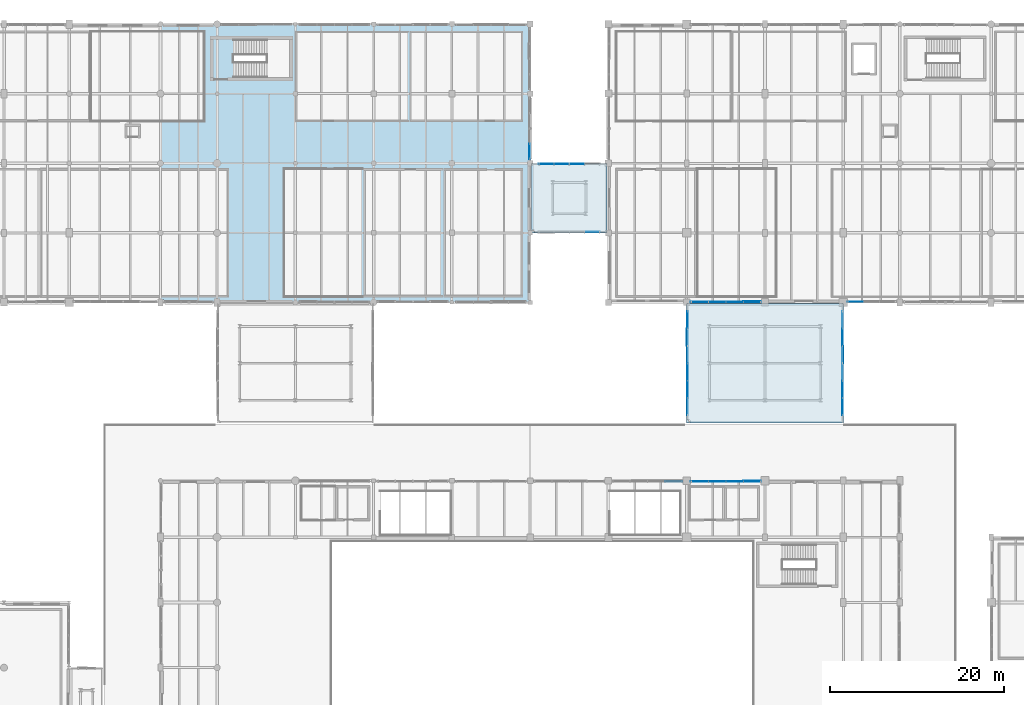
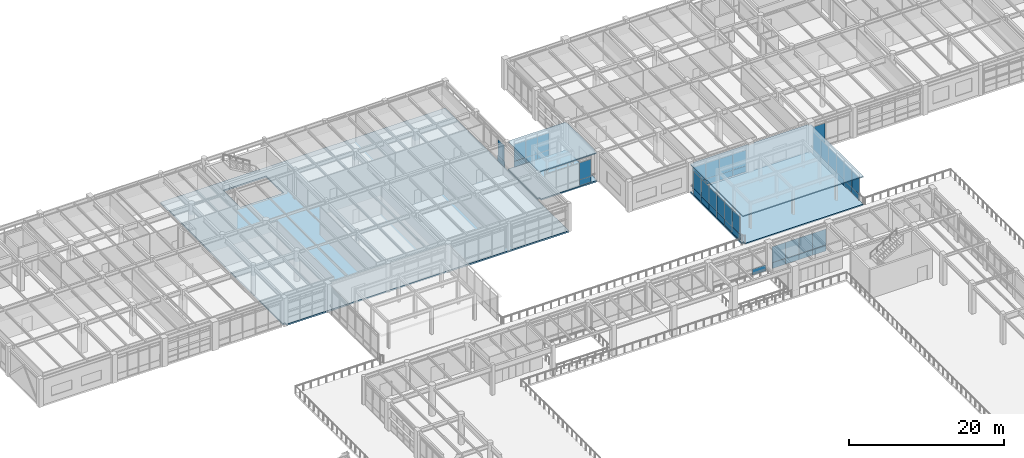
# One storey, part 161 of 200: 53 plates, 5 slabs, 9 elements without a shape of their own.
"""IFC4 building model written with IfcOpenShell, lengths in metres."""

from ifc_helpers import new_model, si_unit, direction, frame, origin, origin_2d, place, context, subcontext, project, spatial, polyline, rectangle, outline, extrude, material, layer, layer_set, type_object, element, aggregate, save


model = new_model("IFC4")

# Units and contexts
model_context = context("Model", 3, precision=1e-05, world=origin(), true_north=direction((0.0, 1.0)))
body_context = subcontext(model_context, "Body", "Model", "MODEL_VIEW")
ifc_project = project(units=[si_unit("LENGTHUNIT", "METRE"), si_unit("AREAUNIT", "SQUARE_METRE"), si_unit("VOLUMEUNIT", "CUBIC_METRE"), si_unit("PLANEANGLEUNIT", "RADIAN"), si_unit("MASSUNIT", "GRAM", prefix="KILO"), si_unit("THERMODYNAMICTEMPERATUREUNIT", "KELVIN"), si_unit("POWERUNIT", "WATT")], contexts=[model_context])

# Site, building, storey
site_placement = place(None, origin())
site = spatial("IfcSite", under=ifc_project, at=site_placement, CompositionType="ELEMENT")
building_placement = place(site_placement, origin())
building = spatial("IfcBuilding", under=site, at=building_placement, Name="Tepalcoro Natatorium and Aquatics Centre", CompositionType="ELEMENT")
storey_placement = place(building_placement, frame((0.0, 0.0, 5.39990234375)))
storey = spatial("IfcBuildingStorey", under=building, at=storey_placement, Name="L01", CompositionType="ELEMENT", Elevation=5.39990234375)

# Curtain wall, plate
ifc_material_1 = material(Name="Bronze-Anodised Extruded Aluminium Alloy EN AW-6063 T6", Category="aluminium")
curtain_wall_type_1 = type_object("IfcCurtainWallType", Name="CW_V4_VILLAGE", PredefinedType="USERDEFINED", material=ifc_material_1)
curtain_wall_1_placement = place(storey_placement, origin())
curtain_wall_1 = element("IfcCurtainWall", 1, at=curtain_wall_1_placement, inside=storey, type_object=curtain_wall_type_1, Name="V1 L01 N Unitised Curtain Wall Bay 8", ObjectType="UNITISED STOREFRONT", PredefinedType="USERDEFINED")
ifc_material_2 = material(Name="Solar-Control Bronze Tempered Low-E Double Glazing", Category="glass")
ifc_layer_1 = layer(ifc_material_2, 0.048095703125)
ifc_layer_set_1 = layer_set([ifc_layer_1], Name="Solar-Control Bronze Tempered Low-E Double Glazing")
plate_type_1 = type_object("IfcPlateType", Name="PL_ACOUSTIC_IGU_48", PredefinedType="CURTAIN_PANEL", material=ifc_layer_set_1)
plate_1_placement = place(storey_placement, frame((112.5048828125, 65.423828125, 0.9599609375), z_axis=(0.0, 0.0, 1.0), x_axis=(1.0, 0.0, 0.0)))
plate_1 = element("IfcPlate", 2, at=plate_1_placement, type_object=plate_type_1, Name="CW_V4_VILLAGE Insulated Glazing Unit", PredefinedType="CURTAIN_PANEL", context=body_context, shape_type="SweptSolid", body=[
    extrude(rectangle(XDim=1.989990234375, YDim=0.048095703125, at=origin_2d()), origin(), (0.0, 0.0, 1.0), 2.51708984375),
])

curtain_wall_type_2 = type_object("IfcCurtainWallType", Name="CW_V3_FOYER", PredefinedType="USERDEFINED", material=ifc_material_1)
curtain_wall_2_placement = place(storey_placement, origin())
curtain_wall_2 = element("IfcCurtainWall", 3, at=curtain_wall_2_placement, inside=storey, type_object=curtain_wall_type_2, Name="V5 L01 S Unitised Curtain Wall Bay 2", ObjectType="UNITISED STOREFRONT", PredefinedType="USERDEFINED")
plate_2_placement = place(storey_placement, frame((112.5048828125, 86.0712890625, 0.9599609375), z_axis=(0.0, 0.0, 1.0), x_axis=(1.0, 0.0, 0.0)))
plate_2 = element("IfcPlate", 4, at=plate_2_placement, type_object=plate_type_1, Name="CW_V3_FOYER Insulated Glazing Unit", PredefinedType="CURTAIN_PANEL", context=body_context, shape_type="SweptSolid", body=[
    extrude(rectangle(XDim=1.989990234375, YDim=0.048095703125, at=origin_2d()), origin(), (0.0, 0.0, 1.0), 2.47412109375),
])

# Curtain wall, plates
curtain_wall_type_3 = type_object("IfcCurtainWallType", Name="CW_LINK_150", PredefinedType="USERDEFINED", material=ifc_material_1)
curtain_wall_3_placement = place(storey_placement, origin())
curtain_wall_3 = element("IfcCurtainWall", 5, at=curtain_wall_3_placement, inside=storey, type_object=curtain_wall_type_3, Name="East Court Wellness Arcade Glazed Wall W L01", ObjectType="UNITISED STOREFRONT", PredefinedType="USERDEFINED")
plate_3_placement = place(storey_placement, frame((107.080078125, 78.0, 0.9599609375), z_axis=(0.0, 0.0, 1.0), x_axis=(1.0, 0.0, 0.0)))
plate_3 = element("IfcPlate", 6, at=plate_3_placement, type_object=plate_type_1, Name="CW_LINK_150 Insulated Glazing Unit", PredefinedType="CURTAIN_PANEL", context=body_context, shape_type="SweptSolid", body=[
    extrude(rectangle(XDim=0.048095703125, YDim=1.97998046875, at=origin_2d()), origin(), (0.0, 0.0, 1.0), 2.679931640625),
])
plate_4_placement = place(storey_placement, frame((107.080078125, 84.0, 0.9599609375), z_axis=(0.0, 0.0, 1.0), x_axis=(1.0, 0.0, 0.0)))
plate_4 = element("IfcPlate", 7, at=plate_4_placement, type_object=plate_type_1, Name="CW_LINK_150 Insulated Glazing Unit", PredefinedType="CURTAIN_PANEL", context=body_context, shape_type="SweptSolid", body=[
    extrude(rectangle(XDim=0.048095703125, YDim=1.97998046875, at=origin_2d()), origin(), (0.0, 0.0, 1.0), 2.679931640625),
])

curtain_wall_4_placement = place(storey_placement, origin())
curtain_wall_4 = element("IfcCurtainWall", 8, at=curtain_wall_4_placement, inside=storey, type_object=curtain_wall_type_3, Name="East Court Wellness Arcade Glazed Wall E L01", ObjectType="UNITISED STOREFRONT", PredefinedType="USERDEFINED")
plate_5_placement = place(storey_placement, frame((124.919921875, 76.0, 0.9599609375), z_axis=(0.0, 0.0, 1.0), x_axis=(1.0, 0.0, 0.0)))
plate_5 = element("IfcPlate", 9, at=plate_5_placement, type_object=plate_type_1, Name="CW_LINK_150 Insulated Glazing Unit", PredefinedType="CURTAIN_PANEL", context=body_context, shape_type="SweptSolid", body=[
    extrude(rectangle(XDim=0.048095703125, YDim=1.97998046875, at=origin_2d()), origin(), (0.0, 0.0, 1.0), 2.679931640625),
])
plate_6_placement = place(storey_placement, frame((124.919921875, 82.0, 0.9599609375), z_axis=(0.0, 0.0, 1.0), x_axis=(1.0, 0.0, 0.0)))
plate_6 = element("IfcPlate", 10, at=plate_6_placement, type_object=plate_type_1, Name="CW_LINK_150 Insulated Glazing Unit", PredefinedType="CURTAIN_PANEL", context=body_context, shape_type="SweptSolid", body=[
    extrude(rectangle(XDim=0.048095703125, YDim=1.97998046875, at=origin_2d()), origin(), (0.0, 0.0, 1.0), 2.679931640625),
])

# Curtain wall, plate
curtain_wall_5_placement = place(storey_placement, origin())
curtain_wall_5 = element("IfcCurtainWall", 11, at=curtain_wall_5_placement, inside=storey, type_object=curtain_wall_type_3, Name="North Spine Seismic Link Glazed Wall N L01", ObjectType="UNITISED STOREFRONT", PredefinedType="USERDEFINED")
plate_7_placement = place(storey_placement, frame((90.875, 101.919921875, 0.9599609375), z_axis=(0.0, 0.0, 1.0), x_axis=(1.0, 0.0, 0.0)))
plate_7 = element("IfcPlate", 12, at=plate_7_placement, type_object=plate_type_1, Name="CW_LINK_150 Insulated Glazing Unit", PredefinedType="CURTAIN_PANEL", context=body_context, shape_type="SweptSolid", body=[
    extrude(rectangle(XDim=1.72998046875, YDim=0.048095703125, at=origin_2d()), origin(), (0.0, 0.0, 1.0), 2.679931640625),
])

# Plate
ifc_layer_2 = layer(ifc_material_2, 0.028076171875)
ifc_layer_set_2 = layer_set([ifc_layer_2], Name="Solar-Control Bronze Tempered Low-E Double Glazing")
plate_type_2 = type_object("IfcPlateType", Name="PL_BRONZE_IGU_28", PredefinedType="CURTAIN_PANEL", material=ifc_layer_set_2)
plate_8_placement = place(storey_placement, frame((110.4951171875, 65.423828125, 0.9599609375), z_axis=(0.0, 0.0, 1.0), x_axis=(1.0, 0.0, 0.0)))
plate_8 = element("IfcPlate", 13, at=plate_8_placement, type_object=plate_type_2, Name="CW_V4_VILLAGE Insulated Glazing Unit", PredefinedType="CURTAIN_PANEL", context=body_context, shape_type="SweptSolid", body=[
    extrude(rectangle(XDim=1.989990234375, YDim=0.028076171875, at=origin_2d()), origin(), (0.0, 0.0, 1.0), 2.51708984375),
])

# Curtain wall, plate
curtain_wall_type_4 = type_object("IfcCurtainWallType", Name="CW_LEAN_T2_EW", PredefinedType="USERDEFINED", material=ifc_material_1)
curtain_wall_6_placement = place(storey_placement, origin())
curtain_wall_6 = element("IfcCurtainWall", 14, at=curtain_wall_6_placement, inside=storey, type_object=curtain_wall_type_4, Name="V4 L01 E Unitised Curtain Wall Bay 3", ObjectType="FACETED SOLAR GLAZING", PredefinedType="USERDEFINED")
plate_9_placement = place(storey_placement, frame((88.9287109375, 103.360107421875, 0.9599609375), z_axis=(0.0, 0.0, 1.0), x_axis=(1.0, 0.0, 0.0)))
plate_9 = element("IfcPlate", 15, at=plate_9_placement, type_object=plate_type_2, Name="CW_LEAN_T2_EW Insulated Glazing Unit", PredefinedType="CURTAIN_PANEL", context=body_context, shape_type="SweptSolid", body=[
    extrude(rectangle(XDim=0.028076171875, YDim=1.739990234375, at=origin_2d()), origin(), (0.0, 0.0, 1.0), 2.489990234375),
])

# Plate
plate_10_placement = place(storey_placement, frame((110.4951171875, 86.0712890625, 0.9599609375), z_axis=(0.0, 0.0, 1.0), x_axis=(1.0, 0.0, 0.0)))
plate_10 = element("IfcPlate", 16, at=plate_10_placement, type_object=plate_type_2, Name="CW_V3_FOYER Insulated Glazing Unit", PredefinedType="CURTAIN_PANEL", context=body_context, shape_type="SweptSolid", body=[
    extrude(rectangle(XDim=1.989990234375, YDim=0.028076171875, at=origin_2d()), origin(), (0.0, 0.0, 1.0), 2.47412109375),
])

# Curtain wall, plate
curtain_wall_type_5 = type_object("IfcCurtainWallType", Name="CW_V5_LOWER", PredefinedType="USERDEFINED", material=ifc_material_1)
curtain_wall_7_placement = place(storey_placement, origin())
curtain_wall_7 = element("IfcCurtainWall", 17, at=curtain_wall_7_placement, inside=storey, type_object=curtain_wall_type_5, Name="V5 L01 S Unitised Curtain Wall Bay 4", ObjectType="UNITISED STOREFRONT", PredefinedType="USERDEFINED")
plate_11_placement = place(storey_placement, frame((126.4033203125, 86.080078125, 0.9599609375), z_axis=(0.0, 0.0, 1.0), x_axis=(1.0, 0.0, 0.0)))
plate_11 = element("IfcPlate", 18, at=plate_11_placement, type_object=plate_type_2, Name="CW_V5_LOWER Insulated Glazing Unit", PredefinedType="CURTAIN_PANEL", context=body_context, shape_type="SweptSolid", body=[
    extrude(rectangle(XDim=1.82666015625, YDim=0.028076171875, at=origin_2d()), origin(), (0.0, 0.0, 1.0), 2.596923828125),
])

# Plate
plate_12_placement = place(storey_placement, frame((107.080078125, 76.0, 0.9599609375), z_axis=(0.0, 0.0, 1.0), x_axis=(1.0, 0.0, 0.0)))
plate_12 = element("IfcPlate", 19, at=plate_12_placement, type_object=plate_type_2, Name="CW_LINK_150 Insulated Glazing Unit", PredefinedType="CURTAIN_PANEL", context=body_context, shape_type="SweptSolid", body=[
    extrude(rectangle(XDim=0.028076171875, YDim=1.97998046875, at=origin_2d()), origin(), (0.0, 0.0, 1.0), 2.679931640625),
])

plate_13_placement = place(storey_placement, frame((107.080078125, 82.0, 0.9599609375), z_axis=(0.0, 0.0, 1.0), x_axis=(1.0, 0.0, 0.0)))
plate_13 = element("IfcPlate", 20, at=plate_13_placement, type_object=plate_type_2, Name="CW_LINK_150 Insulated Glazing Unit", PredefinedType="CURTAIN_PANEL", context=body_context, shape_type="SweptSolid", body=[
    extrude(rectangle(XDim=0.028076171875, YDim=1.97998046875, at=origin_2d()), origin(), (0.0, 0.0, 1.0), 2.679931640625),
])

plate_14_placement = place(storey_placement, frame((124.919921875, 74.0, 0.9599609375), z_axis=(0.0, 0.0, 1.0), x_axis=(1.0, 0.0, 0.0)))
plate_14 = element("IfcPlate", 21, at=plate_14_placement, type_object=plate_type_2, Name="CW_LINK_150 Insulated Glazing Unit", PredefinedType="CURTAIN_PANEL", context=body_context, shape_type="SweptSolid", body=[
    extrude(rectangle(XDim=0.028076171875, YDim=1.97998046875, at=origin_2d()), origin(), (0.0, 0.0, 1.0), 2.679931640625),
])

plate_15_placement = place(storey_placement, frame((124.919921875, 80.0, 0.9599609375), z_axis=(0.0, 0.0, 1.0), x_axis=(1.0, 0.0, 0.0)))
plate_15 = element("IfcPlate", 22, at=plate_15_placement, type_object=plate_type_2, Name="CW_LINK_150 Insulated Glazing Unit", PredefinedType="CURTAIN_PANEL", context=body_context, shape_type="SweptSolid", body=[
    extrude(rectangle(XDim=0.028076171875, YDim=1.97998046875, at=origin_2d()), origin(), (0.0, 0.0, 1.0), 2.679931640625),
])

# Curtain wall, plate
curtain_wall_8_placement = place(storey_placement, origin())
curtain_wall_8 = element("IfcCurtainWall", 23, at=curtain_wall_8_placement, inside=storey, type_object=curtain_wall_type_3, Name="North Spine Seismic Link Glazed Wall S L01", ObjectType="UNITISED STOREFRONT", PredefinedType="USERDEFINED")
plate_16_placement = place(storey_placement, frame((96.125, 94.080078125, 0.9599609375), z_axis=(0.0, 0.0, 1.0), x_axis=(1.0, 0.0, 0.0)))
plate_16 = element("IfcPlate", 24, at=plate_16_placement, type_object=plate_type_2, Name="CW_LINK_150 Insulated Glazing Unit", PredefinedType="CURTAIN_PANEL", context=body_context, shape_type="SweptSolid", body=[
    extrude(rectangle(XDim=1.72998046875, YDim=0.028076171875, at=origin_2d()), origin(), (0.0, 0.0, 1.0), 2.679931640625),
])

# Plate
plate_17_placement = place(storey_placement, frame((94.375, 101.919921875, 0.9599609375), z_axis=(0.0, 0.0, 1.0), x_axis=(1.0, 0.0, 0.0)))
plate_17 = element("IfcPlate", 25, at=plate_17_placement, type_object=plate_type_2, Name="CW_LINK_150 Insulated Glazing Unit", PredefinedType="CURTAIN_PANEL", context=body_context, shape_type="SweptSolid", body=[
    extrude(rectangle(XDim=1.72998046875, YDim=0.028076171875, at=origin_2d()), origin(), (0.0, 0.0, 1.0), 2.679931640625),
])

ifc_material_3 = material(Name="Jalisco Cantera Rosa Volcanic Tuff Ashlar Masonry", Category="masonry")
ifc_layer_3 = layer(ifc_material_3, 0.090087890625)
ifc_layer_set_3 = layer_set([ifc_layer_3], Name="Jalisco Cantera Rosa Volcanic Tuff Ashlar Masonry")
plate_type_3 = type_object("IfcPlateType", Name="PL_CANTERA_90", PredefinedType="SHEET", material=ifc_layer_set_3)
plate_18_placement = place(storey_placement, frame((114.514892578125, 65.423828125, 0.044921875), z_axis=(0.0, 0.0, 1.0), x_axis=(1.0, 0.0, 0.0)))
plate_18 = element("IfcPlate", 26, at=plate_18_placement, type_object=plate_type_3, Name="CW_V4_VILLAGE Spandrel & Screen Panel", PredefinedType="SHEET", context=body_context, shape_type="SweptSolid", body=[
    extrude(rectangle(XDim=1.989990234375, YDim=0.090087890625, at=origin_2d()), origin(), (0.0, 0.0, 1.0), 0.909912109375),
])

plate_19_placement = place(storey_placement, frame((114.514892578125, 86.0712890625, 0.044921875), z_axis=(0.0, 0.0, 1.0), x_axis=(1.0, 0.0, 0.0)))
plate_19 = element("IfcPlate", 27, at=plate_19_placement, type_object=plate_type_3, Name="CW_V3_FOYER Spandrel & Screen Panel", PredefinedType="SHEET", context=body_context, shape_type="SweptSolid", body=[
    extrude(rectangle(XDim=1.989990234375, YDim=0.090087890625, at=origin_2d()), origin(), (0.0, 0.0, 1.0), 0.909912109375),
])

plate_20_placement = place(storey_placement, frame((107.080078125, 80.0, 0.044921875), z_axis=(0.0, 0.0, 1.0), x_axis=(1.0, 0.0, 0.0)))
plate_20 = element("IfcPlate", 28, at=plate_20_placement, type_object=plate_type_3, Name="CW_LINK_150 Spandrel & Screen Panel", PredefinedType="SHEET", context=body_context, shape_type="SweptSolid", body=[
    extrude(rectangle(XDim=0.090087890625, YDim=1.97998046875, at=origin_2d()), origin(), (0.0, 0.0, 1.0), 0.909912109375),
])

plate_21_placement = place(storey_placement, frame((124.919921875, 78.0, 0.044921875), z_axis=(0.0, 0.0, 1.0), x_axis=(1.0, 0.0, 0.0)))
plate_21 = element("IfcPlate", 29, at=plate_21_placement, type_object=plate_type_3, Name="CW_LINK_150 Spandrel & Screen Panel", PredefinedType="SHEET", context=body_context, shape_type="SweptSolid", body=[
    extrude(rectangle(XDim=0.090087890625, YDim=1.97998046875, at=origin_2d()), origin(), (0.0, 0.0, 1.0), 0.909912109375),
])

ifc_material_4 = material(Name="Clear Tempered Low-E Safety Glazing", Category="glass")
ifc_layer_4 = layer(ifc_material_4, 0.011962890625)
ifc_layer_set_4 = layer_set([ifc_layer_4], Name="Clear Tempered Low-E Safety Glazing")
plate_type_4 = type_object("IfcPlateType", Name="PL_GLASS_12", PredefinedType="CURTAIN_PANEL", material=ifc_layer_set_4)
plate_22_placement = place(storey_placement, frame((108.485107421875, 65.423828125, 0.9599609375), z_axis=(0.0, 0.0, 1.0), x_axis=(1.0, 0.0, 0.0)))
plate_22 = element("IfcPlate", 30, at=plate_22_placement, type_object=plate_type_4, Name="CW_V4_VILLAGE Insulated Glazing Unit", PredefinedType="CURTAIN_PANEL", context=body_context, shape_type="SweptSolid", body=[
    extrude(rectangle(XDim=1.989990234375, YDim=0.011962890625, at=origin_2d()), origin(), (0.0, 0.0, 1.0), 2.51708984375),
])

plate_23_placement = place(storey_placement, frame((114.514892578125, 65.423828125, 0.9599609375), z_axis=(0.0, 0.0, 1.0), x_axis=(1.0, 0.0, 0.0)))
plate_23 = element("IfcPlate", 31, at=plate_23_placement, type_object=plate_type_4, Name="CW_V4_VILLAGE Insulated Glazing Unit", PredefinedType="CURTAIN_PANEL", context=body_context, shape_type="SweptSolid", body=[
    extrude(rectangle(XDim=1.989990234375, YDim=0.011962890625, at=origin_2d()), origin(), (0.0, 0.0, 1.0), 2.51708984375),
])

plate_24_placement = place(storey_placement, frame((108.485107421875, 86.0712890625, 0.9599609375), z_axis=(0.0, 0.0, 1.0), x_axis=(1.0, 0.0, 0.0)))
plate_24 = element("IfcPlate", 32, at=plate_24_placement, type_object=plate_type_4, Name="CW_V3_FOYER Insulated Glazing Unit", PredefinedType="CURTAIN_PANEL", context=body_context, shape_type="SweptSolid", body=[
    extrude(rectangle(XDim=1.989990234375, YDim=0.011962890625, at=origin_2d()), origin(), (0.0, 0.0, 1.0), 2.47412109375),
])

plate_25_placement = place(storey_placement, frame((114.514892578125, 86.0712890625, 0.9599609375), z_axis=(0.0, 0.0, 1.0), x_axis=(1.0, 0.0, 0.0)))
plate_25 = element("IfcPlate", 33, at=plate_25_placement, type_object=plate_type_4, Name="CW_V3_FOYER Insulated Glazing Unit", PredefinedType="CURTAIN_PANEL", context=body_context, shape_type="SweptSolid", body=[
    extrude(rectangle(XDim=1.989990234375, YDim=0.011962890625, at=origin_2d()), origin(), (0.0, 0.0, 1.0), 2.47412109375),
])

plate_26_placement = place(storey_placement, frame((107.080078125, 74.0, 0.9599609375), z_axis=(0.0, 0.0, 1.0), x_axis=(1.0, 0.0, 0.0)))
plate_26 = element("IfcPlate", 34, at=plate_26_placement, type_object=plate_type_4, Name="CW_LINK_150 Insulated Glazing Unit", PredefinedType="CURTAIN_PANEL", context=body_context, shape_type="SweptSolid", body=[
    extrude(rectangle(XDim=0.011962890625, YDim=1.97998046875, at=origin_2d()), origin(), (0.0, 0.0, 1.0), 2.679931640625),
])

plate_27_placement = place(storey_placement, frame((107.080078125, 80.0, 0.9599609375), z_axis=(0.0, 0.0, 1.0), x_axis=(1.0, 0.0, 0.0)))
plate_27 = element("IfcPlate", 35, at=plate_27_placement, type_object=plate_type_4, Name="CW_LINK_150 Insulated Glazing Unit", PredefinedType="CURTAIN_PANEL", context=body_context, shape_type="SweptSolid", body=[
    extrude(rectangle(XDim=0.011962890625, YDim=1.97998046875, at=origin_2d()), origin(), (0.0, 0.0, 1.0), 2.679931640625),
])

plate_28_placement = place(storey_placement, frame((124.919921875, 78.0, 0.9599609375), z_axis=(0.0, 0.0, 1.0), x_axis=(1.0, 0.0, 0.0)))
plate_28 = element("IfcPlate", 36, at=plate_28_placement, type_object=plate_type_4, Name="CW_LINK_150 Insulated Glazing Unit", PredefinedType="CURTAIN_PANEL", context=body_context, shape_type="SweptSolid", body=[
    extrude(rectangle(XDim=0.011962890625, YDim=1.97998046875, at=origin_2d()), origin(), (0.0, 0.0, 1.0), 2.679931640625),
])

plate_29_placement = place(storey_placement, frame((124.919921875, 84.0, 0.9599609375), z_axis=(0.0, 0.0, 1.0), x_axis=(1.0, 0.0, 0.0)))
plate_29 = element("IfcPlate", 37, at=plate_29_placement, type_object=plate_type_4, Name="CW_LINK_150 Insulated Glazing Unit", PredefinedType="CURTAIN_PANEL", context=body_context, shape_type="SweptSolid", body=[
    extrude(rectangle(XDim=0.011962890625, YDim=1.97998046875, at=origin_2d()), origin(), (0.0, 0.0, 1.0), 2.679931640625),
])

plate_30_placement = place(storey_placement, frame((92.625, 101.919921875, 0.9599609375), z_axis=(0.0, 0.0, 1.0), x_axis=(1.0, 0.0, 0.0)))
plate_30 = element("IfcPlate", 38, at=plate_30_placement, type_object=plate_type_4, Name="CW_LINK_150 Insulated Glazing Unit", PredefinedType="CURTAIN_PANEL", context=body_context, shape_type="SweptSolid", body=[
    extrude(rectangle(XDim=1.72998046875, YDim=0.011962890625, at=origin_2d()), origin(), (0.0, 0.0, 1.0), 2.679931640625),
])

ifc_material_5 = material(Name="Volcanic Recinto Basalt Ashlar Masonry", Category="masonry")
ifc_layer_5 = layer(ifc_material_5, 0.110107421875)
ifc_layer_set_5 = layer_set([ifc_layer_5], Name="Volcanic Recinto Basalt Ashlar Masonry")
plate_type_5 = type_object("IfcPlateType", Name="PL_RECINTO_110", PredefinedType="SHEET", material=ifc_layer_set_5)
plate_31_placement = place(storey_placement, frame((107.080078125, 82.0, 0.044921875), z_axis=(0.0, 0.0, 1.0), x_axis=(1.0, 0.0, 0.0)))
plate_31 = element("IfcPlate", 39, at=plate_31_placement, type_object=plate_type_5, Name="CW_LINK_150 Spandrel & Screen Panel", PredefinedType="SHEET", context=body_context, shape_type="SweptSolid", body=[
    extrude(rectangle(XDim=0.110107421875, YDim=1.97998046875, at=origin_2d()), origin(), (0.0, 0.0, 1.0), 0.909912109375),
])

plate_32_placement = place(storey_placement, frame((124.919921875, 80.0, 0.044921875), z_axis=(0.0, 0.0, 1.0), x_axis=(1.0, 0.0, 0.0)))
plate_32 = element("IfcPlate", 40, at=plate_32_placement, type_object=plate_type_5, Name="CW_LINK_150 Spandrel & Screen Panel", PredefinedType="SHEET", context=body_context, shape_type="SweptSolid", body=[
    extrude(rectangle(XDim=0.110107421875, YDim=1.97998046875, at=origin_2d()), origin(), (0.0, 0.0, 1.0), 0.909912109375),
])

ifc_layer_6 = layer(ifc_material_1, 0.050048828125)
ifc_layer_set_6 = layer_set([ifc_layer_6], Name="Bronze-Anodised Extruded Aluminium Alloy EN AW-6063 T6")
plate_type_6 = type_object("IfcPlateType", Name="PL_SCREEN_50", PredefinedType="SHEET", material=ifc_layer_set_6)
plate_33_placement = place(storey_placement, frame((110.4951171875, 65.423828125, 0.044921875), z_axis=(0.0, 0.0, 1.0), x_axis=(1.0, 0.0, 0.0)))
plate_33 = element("IfcPlate", 41, at=plate_33_placement, type_object=plate_type_6, Name="CW_V4_VILLAGE Spandrel & Screen Panel", PredefinedType="SHEET", context=body_context, shape_type="SweptSolid", body=[
    extrude(rectangle(XDim=1.989990234375, YDim=0.050048828125, at=origin_2d()), origin(), (0.0, 0.0, 1.0), 0.909912109375),
])

plate_34_placement = place(storey_placement, frame((88.9287109375, 103.360107421875, 0.044921875), z_axis=(0.0, 0.0, 1.0), x_axis=(1.0, 0.0, 0.0)))
plate_34 = element("IfcPlate", 42, at=plate_34_placement, type_object=plate_type_6, Name="CW_LEAN_T2_EW Spandrel & Screen Panel", PredefinedType="SHEET", context=body_context, shape_type="SweptSolid", body=[
    extrude(rectangle(XDim=0.050048828125, YDim=1.739990234375, at=origin_2d()), origin(), (0.0, 0.0, 1.0), 0.909912109375),
])

aggregate(curtain_wall_6, [plate_9, plate_34])

plate_35_placement = place(storey_placement, frame((110.4951171875, 86.0712890625, 0.044921875), z_axis=(0.0, 0.0, 1.0), x_axis=(1.0, 0.0, 0.0)))
plate_35 = element("IfcPlate", 43, at=plate_35_placement, type_object=plate_type_6, Name="CW_V3_FOYER Spandrel & Screen Panel", PredefinedType="SHEET", context=body_context, shape_type="SweptSolid", body=[
    extrude(rectangle(XDim=1.989990234375, YDim=0.050048828125, at=origin_2d()), origin(), (0.0, 0.0, 1.0), 0.909912109375),
])

plate_36_placement = place(storey_placement, frame((126.4033203125, 86.080078125, 0.044921875), z_axis=(0.0, 0.0, 1.0), x_axis=(1.0, 0.0, 0.0)))
plate_36 = element("IfcPlate", 44, at=plate_36_placement, type_object=plate_type_6, Name="CW_V5_LOWER Spandrel & Screen Panel", PredefinedType="SHEET", context=body_context, shape_type="SweptSolid", body=[
    extrude(rectangle(XDim=1.82666015625, YDim=0.050048828125, at=origin_2d()), origin(), (0.0, 0.0, 1.0), 0.909912109375),
])

aggregate(curtain_wall_7, [plate_11, plate_36])

plate_37_placement = place(storey_placement, frame((107.080078125, 76.0, 0.044921875), z_axis=(0.0, 0.0, 1.0), x_axis=(1.0, 0.0, 0.0)))
plate_37 = element("IfcPlate", 45, at=plate_37_placement, type_object=plate_type_6, Name="CW_LINK_150 Spandrel & Screen Panel", PredefinedType="SHEET", context=body_context, shape_type="SweptSolid", body=[
    extrude(rectangle(XDim=0.050048828125, YDim=1.97998046875, at=origin_2d()), origin(), (0.0, 0.0, 1.0), 0.909912109375),
])

plate_38_placement = place(storey_placement, frame((124.919921875, 74.0, 0.044921875), z_axis=(0.0, 0.0, 1.0), x_axis=(1.0, 0.0, 0.0)))
plate_38 = element("IfcPlate", 46, at=plate_38_placement, type_object=plate_type_6, Name="CW_LINK_150 Spandrel & Screen Panel", PredefinedType="SHEET", context=body_context, shape_type="SweptSolid", body=[
    extrude(rectangle(XDim=0.050048828125, YDim=1.97998046875, at=origin_2d()), origin(), (0.0, 0.0, 1.0), 0.909912109375),
])

plate_39_placement = place(storey_placement, frame((124.919921875, 84.0, 0.044921875), z_axis=(0.0, 0.0, 1.0), x_axis=(1.0, 0.0, 0.0)))
plate_39 = element("IfcPlate", 47, at=plate_39_placement, type_object=plate_type_6, Name="CW_LINK_150 Spandrel & Screen Panel", PredefinedType="SHEET", context=body_context, shape_type="SweptSolid", body=[
    extrude(rectangle(XDim=0.050048828125, YDim=1.97998046875, at=origin_2d()), origin(), (0.0, 0.0, 1.0), 0.909912109375),
])

plate_40_placement = place(storey_placement, frame((92.625, 101.919921875, 0.044921875), z_axis=(0.0, 0.0, 1.0), x_axis=(1.0, 0.0, 0.0)))
plate_40 = element("IfcPlate", 48, at=plate_40_placement, type_object=plate_type_6, Name="CW_LINK_150 Spandrel & Screen Panel", PredefinedType="SHEET", context=body_context, shape_type="SweptSolid", body=[
    extrude(rectangle(XDim=1.72998046875, YDim=0.050048828125, at=origin_2d()), origin(), (0.0, 0.0, 1.0), 0.909912109375),
])

# Curtain wall, plate
curtain_wall_9_placement = place(storey_placement, origin())
curtain_wall_9 = element("IfcCurtainWall", 49, at=curtain_wall_9_placement, inside=storey, type_object=curtain_wall_type_2, Name="V1 L01 N Unitised Curtain Wall Bay 7", ObjectType="UNITISED STOREFRONT", PredefinedType="USERDEFINED")
ifc_layer_7 = layer(ifc_material_1, 0.06005859375)
ifc_layer_set_7 = layer_set([ifc_layer_7], Name="Bronze-Anodised Extruded Aluminium Alloy EN AW-6063 T6")
plate_type_7 = type_object("IfcPlateType", Name="PL_SCREEN_60", PredefinedType="SHEET", material=ifc_layer_set_7)
plate_41_placement = place(storey_placement, frame((105.514892578125, 65.419921875, 0.044921875), z_axis=(0.0, 0.0, 1.0), x_axis=(1.0, 0.0, 0.0)))
plate_41 = element("IfcPlate", 50, at=plate_41_placement, type_object=plate_type_7, Name="CW_V3_FOYER Spandrel & Screen Panel", PredefinedType="SHEET", context=body_context, shape_type="SweptSolid", body=[
    extrude(rectangle(XDim=1.989990234375, YDim=0.06005859375, at=origin_2d()), origin(), (0.0, 0.0, 1.0), 0.909912109375),
])
aggregate(curtain_wall_9, [plate_41])

# Plate
plate_42_placement = place(storey_placement, frame((112.5048828125, 65.423828125, 0.044921875), z_axis=(0.0, 0.0, 1.0), x_axis=(1.0, 0.0, 0.0)))
plate_42 = element("IfcPlate", 51, at=plate_42_placement, type_object=plate_type_7, Name="CW_V4_VILLAGE Spandrel & Screen Panel", PredefinedType="SHEET", context=body_context, shape_type="SweptSolid", body=[
    extrude(rectangle(XDim=1.989990234375, YDim=0.06005859375, at=origin_2d()), origin(), (0.0, 0.0, 1.0), 0.909912109375),
])

plate_43_placement = place(storey_placement, frame((112.5048828125, 86.0712890625, 0.044921875), z_axis=(0.0, 0.0, 1.0), x_axis=(1.0, 0.0, 0.0)))
plate_43 = element("IfcPlate", 52, at=plate_43_placement, type_object=plate_type_7, Name="CW_V3_FOYER Spandrel & Screen Panel", PredefinedType="SHEET", context=body_context, shape_type="SweptSolid", body=[
    extrude(rectangle(XDim=1.989990234375, YDim=0.06005859375, at=origin_2d()), origin(), (0.0, 0.0, 1.0), 0.909912109375),
])

plate_44_placement = place(storey_placement, frame((107.080078125, 78.0, 0.044921875), z_axis=(0.0, 0.0, 1.0), x_axis=(1.0, 0.0, 0.0)))
plate_44 = element("IfcPlate", 53, at=plate_44_placement, type_object=plate_type_7, Name="CW_LINK_150 Spandrel & Screen Panel", PredefinedType="SHEET", context=body_context, shape_type="SweptSolid", body=[
    extrude(rectangle(XDim=0.06005859375, YDim=1.97998046875, at=origin_2d()), origin(), (0.0, 0.0, 1.0), 0.909912109375),
])

plate_45_placement = place(storey_placement, frame((124.919921875, 76.0, 0.044921875), z_axis=(0.0, 0.0, 1.0), x_axis=(1.0, 0.0, 0.0)))
plate_45 = element("IfcPlate", 54, at=plate_45_placement, type_object=plate_type_7, Name="CW_LINK_150 Spandrel & Screen Panel", PredefinedType="SHEET", context=body_context, shape_type="SweptSolid", body=[
    extrude(rectangle(XDim=0.06005859375, YDim=1.97998046875, at=origin_2d()), origin(), (0.0, 0.0, 1.0), 0.909912109375),
])

plate_46_placement = place(storey_placement, frame((96.125, 94.080078125, 0.044921875), z_axis=(0.0, 0.0, 1.0), x_axis=(1.0, 0.0, 0.0)))
plate_46 = element("IfcPlate", 55, at=plate_46_placement, type_object=plate_type_7, Name="CW_LINK_150 Spandrel & Screen Panel", PredefinedType="SHEET", context=body_context, shape_type="SweptSolid", body=[
    extrude(rectangle(XDim=1.72998046875, YDim=0.06005859375, at=origin_2d()), origin(), (0.0, 0.0, 1.0), 0.909912109375),
])

aggregate(curtain_wall_8, [plate_16, plate_46])

plate_47_placement = place(storey_placement, frame((94.375, 101.919921875, 0.044921875), z_axis=(0.0, 0.0, 1.0), x_axis=(1.0, 0.0, 0.0)))
plate_47 = element("IfcPlate", 56, at=plate_47_placement, type_object=plate_type_7, Name="CW_LINK_150 Spandrel & Screen Panel", PredefinedType="SHEET", context=body_context, shape_type="SweptSolid", body=[
    extrude(rectangle(XDim=1.72998046875, YDim=0.06005859375, at=origin_2d()), origin(), (0.0, 0.0, 1.0), 0.909912109375),
])

ifc_material_6 = material(Name="Insulated Bronze Anodised Aluminium Spandrel Panel", Category="aluminium")
ifc_layer_8 = layer(ifc_material_6, 0.070068359375)
ifc_layer_set_8 = layer_set([ifc_layer_8], Name="Insulated Bronze Anodised Aluminium Spandrel Panel")
plate_type_8 = type_object("IfcPlateType", Name="PL_SPANDREL_70", PredefinedType="CURTAIN_PANEL", material=ifc_layer_set_8)
plate_48_placement = place(storey_placement, frame((108.485107421875, 65.423828125, 0.044921875), z_axis=(0.0, 0.0, 1.0), x_axis=(1.0, 0.0, 0.0)))
plate_48 = element("IfcPlate", 57, at=plate_48_placement, type_object=plate_type_8, Name="CW_V4_VILLAGE Spandrel & Screen Panel", PredefinedType="CURTAIN_PANEL", context=body_context, shape_type="SweptSolid", body=[
    extrude(rectangle(XDim=1.989990234375, YDim=0.070068359375, at=origin_2d()), origin(), (0.0, 0.0, 1.0), 0.909912109375),
])

aggregate(curtain_wall_1, [plate_22, plate_48, plate_8, plate_33, plate_1, plate_42, plate_23, plate_18])

plate_49_placement = place(storey_placement, frame((108.485107421875, 86.0712890625, 0.044921875), z_axis=(0.0, 0.0, 1.0), x_axis=(1.0, 0.0, 0.0)))
plate_49 = element("IfcPlate", 58, at=plate_49_placement, type_object=plate_type_8, Name="CW_V3_FOYER Spandrel & Screen Panel", PredefinedType="CURTAIN_PANEL", context=body_context, shape_type="SweptSolid", body=[
    extrude(rectangle(XDim=1.989990234375, YDim=0.070068359375, at=origin_2d()), origin(), (0.0, 0.0, 1.0), 0.909912109375),
])

aggregate(curtain_wall_2, [plate_24, plate_49, plate_10, plate_35, plate_2, plate_43, plate_25, plate_19])

plate_50_placement = place(storey_placement, frame((107.080078125, 74.0, 0.044921875), z_axis=(0.0, 0.0, 1.0), x_axis=(1.0, 0.0, 0.0)))
plate_50 = element("IfcPlate", 59, at=plate_50_placement, type_object=plate_type_8, Name="CW_LINK_150 Spandrel & Screen Panel", PredefinedType="CURTAIN_PANEL", context=body_context, shape_type="SweptSolid", body=[
    extrude(rectangle(XDim=0.070068359375, YDim=1.97998046875, at=origin_2d()), origin(), (0.0, 0.0, 1.0), 0.909912109375),
])

plate_51_placement = place(storey_placement, frame((107.080078125, 84.0, 0.044921875), z_axis=(0.0, 0.0, 1.0), x_axis=(1.0, 0.0, 0.0)))
plate_51 = element("IfcPlate", 60, at=plate_51_placement, type_object=plate_type_8, Name="CW_LINK_150 Spandrel & Screen Panel", PredefinedType="CURTAIN_PANEL", context=body_context, shape_type="SweptSolid", body=[
    extrude(rectangle(XDim=0.070068359375, YDim=1.97998046875, at=origin_2d()), origin(), (0.0, 0.0, 1.0), 0.909912109375),
])

aggregate(curtain_wall_3, [plate_26, plate_50, plate_12, plate_37, plate_3, plate_44, plate_27, plate_20, plate_13, plate_31, plate_4, plate_51])

plate_52_placement = place(storey_placement, frame((124.919921875, 82.0, 0.044921875), z_axis=(0.0, 0.0, 1.0), x_axis=(1.0, 0.0, 0.0)))
plate_52 = element("IfcPlate", 61, at=plate_52_placement, type_object=plate_type_8, Name="CW_LINK_150 Spandrel & Screen Panel", PredefinedType="CURTAIN_PANEL", context=body_context, shape_type="SweptSolid", body=[
    extrude(rectangle(XDim=0.070068359375, YDim=1.97998046875, at=origin_2d()), origin(), (0.0, 0.0, 1.0), 0.909912109375),
])

aggregate(curtain_wall_4, [plate_14, plate_38, plate_5, plate_45, plate_28, plate_21, plate_15, plate_32, plate_6, plate_52, plate_29, plate_39])

plate_53_placement = place(storey_placement, frame((90.875, 101.919921875, 0.044921875), z_axis=(0.0, 0.0, 1.0), x_axis=(1.0, 0.0, 0.0)))
plate_53 = element("IfcPlate", 62, at=plate_53_placement, type_object=plate_type_8, Name="CW_LINK_150 Spandrel & Screen Panel", PredefinedType="CURTAIN_PANEL", context=body_context, shape_type="SweptSolid", body=[
    extrude(rectangle(XDim=1.72998046875, YDim=0.070068359375, at=origin_2d()), origin(), (0.0, 0.0, 1.0), 0.909912109375),
])

aggregate(curtain_wall_5, [plate_7, plate_53, plate_30, plate_40, plate_17, plate_47])

# Slabs
ifc_material_7 = material(Name="Concrete C35/45 (fc 35 MPa)", Category="concrete")
ifc_layer_9 = layer(ifc_material_7, 0.219970703125)
ifc_layer_set_9 = layer_set([ifc_layer_9], Name="Concrete C35/45 (fc 35 MPa)")
slab_type_1 = type_object("IfcSlabType", Name="SL_FLOOR_220", PredefinedType="FLOOR", material=ifc_layer_set_9)
slab_1_placement = place(storey_placement, frame((0.0, 0.0, -0.219970703125)))
element("IfcSlab", 63, at=slab_1_placement, inside=storey, type_object=slab_type_1, Name="East Court Wellness Arcade L01 Bridge Slab", PredefinedType="FLOOR", context=body_context, shape_type="SweptSolid", body=[
    extrude(outline(polyline([(107.0, 85.85009765625), (125.0, 85.85009765625), (125.0, 72.14990234375), (107.35009765625, 72.14990234375), (107.35009765625, 72.5), (107.0, 72.5), (107.0, 85.85009765625)])), origin(), (0.0, 0.0, 1.0), 0.219970703125),
])
slab_2_placement = place(storey_placement, frame((0.0, 0.0, -0.219970703125)))
element("IfcSlab", 64, at=slab_2_placement, inside=storey, type_object=slab_type_1, Name="North Spine Seismic Link L01 Bridge Slab", PredefinedType="FLOOR", context=body_context, shape_type="SweptSolid", body=[
    extrude(outline(polyline([(89.14990234375, 102.0), (97.85009765625, 102.0), (97.85009765625, 94.0), (89.5, 94.0), (89.5, 94.35009765625), (89.14990234375, 94.35009765625), (89.14990234375, 102.0)])), origin(), (0.0, 0.0, 1.0), 0.219970703125),
])
ifc_layer_10 = layer(ifc_material_7, 0.239990234375)
ifc_layer_set_10 = layer_set([ifc_layer_10], Name="Concrete C35/45 (fc 35 MPa)")
slab_type_2 = type_object("IfcSlabType", Name="SL_FLOOR_240", PredefinedType="FLOOR", material=ifc_layer_set_10)
slab_3_placement = place(storey_placement, frame((0.0, 0.0, -0.239990234375)))
element("IfcSlab", 65, at=slab_3_placement, inside=storey, type_object=slab_type_2, Name="V4 L01 Natatorium and Civic Floor Slab E", PredefinedType="FLOOR", context=body_context, shape_type="SweptSolid", body=[
    extrude(outline(polyline([(46.85009765625, 86.0), (46.85009765625, 86.35009765625), (46.5, 86.35009765625), (46.5, 118.0), (89.0, 118.0), (89.0, 86.0), (46.85009765625, 86.0)]), holes=[polyline([(54.8798828125, 111.85009765625), (61.300048828125, 111.85009765625), (61.300048828125, 116.25), (54.8798828125, 116.25), (54.8798828125, 111.85009765625)])]), origin(), (0.0, 0.0, 1.0), 0.239990234375),
])
ifc_layer_11 = layer(ifc_material_7, 0.159912109375)
ifc_layer_set_11 = layer_set([ifc_layer_11], Name="Concrete C35/45 (fc 35 MPa)")
slab_type_3 = type_object("IfcSlabType", Name="SL_ROOF_160", PredefinedType="ROOF", material=ifc_layer_set_11)
slab_4_placement = place(storey_placement, frame((0.0, 0.0, 4.239990234375)))
element("IfcSlab", 66, at=slab_4_placement, inside=storey, type_object=slab_type_3, Name="East Court Wellness Arcade Roof Slab", PredefinedType="ROOF", context=body_context, shape_type="SweptSolid", body=[
    extrude(outline(polyline([(125.0, 72.14990234375), (125.0, 85.85009765625), (107.0, 85.85009765625), (107.0, 72.14990234375), (125.0, 72.14990234375)])), origin(), (0.0, 0.0, 1.0), 0.16015625),
])
slab_5_placement = place(storey_placement, frame((0.0, 0.0, 4.239990234375)))
element("IfcSlab", 67, at=slab_5_placement, inside=storey, type_object=slab_type_3, Name="North Spine Seismic Link Roof Slab", PredefinedType="ROOF", context=body_context, shape_type="SweptSolid", body=[
    extrude(outline(polyline([(97.85009765625, 94.0), (97.85009765625, 102.0), (89.14990234375, 102.0), (89.14990234375, 94.0), (97.85009765625, 94.0)])), origin(), (0.0, 0.0, 1.0), 0.16015625),
])

save(model, "model.ifc")
